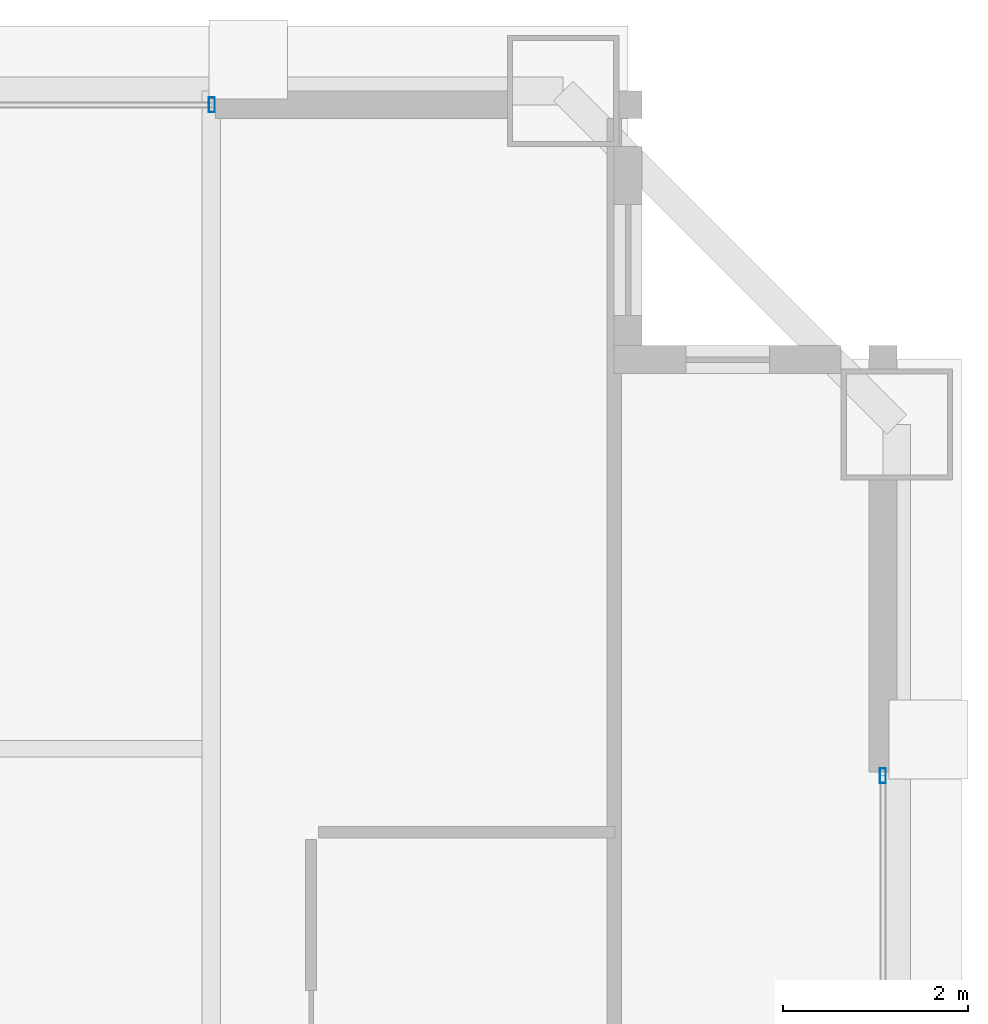
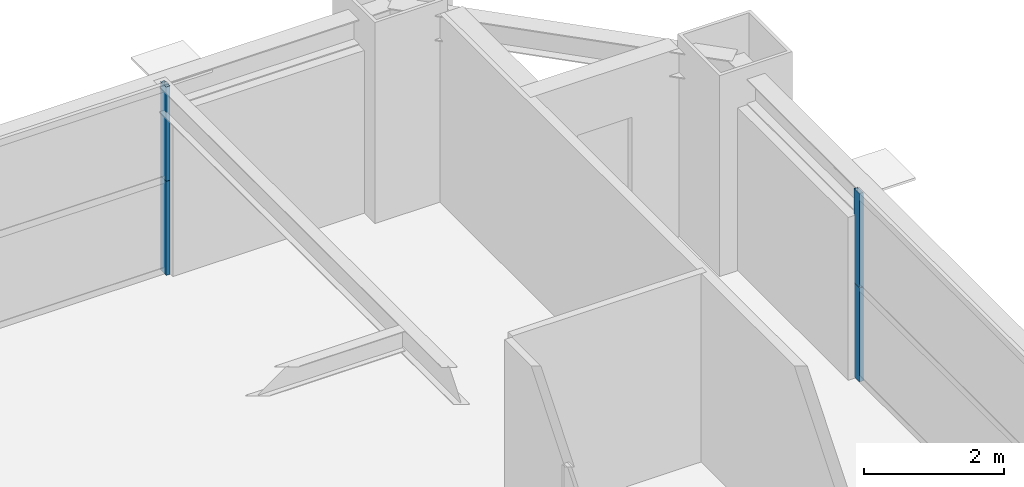
# One storey, part 30 of 36: 4 members, 2 elements without a shape of their own.
"""IFC4 building model written with IfcOpenShell, lengths in metres."""

from ifc_helpers import new_model, si_unit, direction, frame, origin, origin_2d, place, context, subcontext, project, spatial, hollow_rectangle, extrude, source, transform, mapped, material, layer, layer_set, material_profile, profile_set, type_object, element, aggregate, save


model = new_model("IFC4")

# Units and contexts
model_context = context("Model", 3, precision=1e-05, world=origin(), true_north=direction((0.0, 1.0)))
body_context = subcontext(model_context, "Body", "Model", "MODEL_VIEW")
ifc_project = project(units=[si_unit("LENGTHUNIT", "METRE"), si_unit("AREAUNIT", "SQUARE_METRE"), si_unit("VOLUMEUNIT", "CUBIC_METRE"), si_unit("PLANEANGLEUNIT", "RADIAN"), si_unit("MASSUNIT", "GRAM", prefix="KILO"), si_unit("THERMODYNAMICTEMPERATUREUNIT", "KELVIN"), si_unit("POWERUNIT", "WATT")], contexts=[model_context])

# Site, building, storey
site_placement = place(None, origin())
site = spatial("IfcSite", under=ifc_project, at=site_placement, CompositionType="ELEMENT")
building_placement = place(site_placement, origin())
building = spatial("IfcBuilding", under=site, at=building_placement, Name="Yuzanri Waterfront Tower", CompositionType="ELEMENT")
storey_placement = place(building_placement, frame((0.0, 0.0, 231.10009765625)))
storey = spatial("IfcBuildingStorey", under=building, at=storey_placement, Name="L61", CompositionType="ELEMENT", Elevation=231.10009765625)

# Curtain wall, members
ifc_material_1 = material(Name="Anodized Architectural Bronze", Category="metal")
ifc_layer = layer(ifc_material_1, 0.159912109375)
ifc_layer_set = layer_set([ifc_layer], Name="Anodized Architectural Bronze")
curtain_wall_type = type_object("IfcCurtainWallType", Name="Anodized Bronze Mid-Rise Residential Acoustic Unitized Curtain Wall 7200", PredefinedType="NOTDEFINED", material=ifc_layer_set)
curtain_wall_1_placement = place(storey_placement, origin())
curtain_wall_1 = element("IfcCurtainWall", 1, at=curtain_wall_1_placement, inside=storey, type_object=curtain_wall_type, Name="L61 Curtain Wall CW-L61-NR", PredefinedType="NOTDEFINED")
ifc_material_2 = material(Name="Anodized Architectural Bronze", Category="metal")
ifc_material_profile = material_profile(ifc_material_2, hollow_rectangle(XDim=0.06494140625, YDim=0.159912109375, WallThickness=0.00341796875, at=origin_2d()), Name="CWM 65x160")
ifc_profile_set = profile_set([ifc_material_profile], Name="Anodized Architectural Bronze")
member_type = type_object("IfcMemberType", Name="Anodized Bronze Upper-Zone Curtain-Wall Mullion 65x160", PredefinedType="MULLION", material=ifc_profile_set)
shared_shape = source(origin(), body_context, "Body", "SweptSolid", [
    extrude(hollow_rectangle(XDim=0.06494140625, YDim=0.159912109375, WallThickness=0.00341796875, at=origin_2d()), origin(), (0.0, 0.0, 1.0), 1.637939453125),
])
member_1_placement = place(storey_placement, frame((50.2099609375, 46.25, 0.0), z_axis=(0.0, 0.0, 1.0), x_axis=(1.0, 0.0, 0.0)))
member_1 = element("IfcMember", 2, at=member_1_placement, type_object=member_type, Name="CW-L61-NR Lower Mullion 02", PredefinedType="MULLION", context=body_context, shape_type="MappedRepresentation", body=[
    mapped(shared_shape, transform((0.0, 0.0, 0.0), scale=1.0)),
])
member_2_placement = place(storey_placement, frame((50.2099609375, 46.25, 1.641845703125), z_axis=(0.0, 0.0, 1.0), x_axis=(1.0, 0.0, 0.0)))
member_2 = element("IfcMember", 3, at=member_2_placement, type_object=member_type, Name="CW-L61-NR Upper Mullion 02", PredefinedType="MULLION", context=body_context, shape_type="MappedRepresentation", body=[
    mapped(shared_shape, transform((0.0, 0.0, 0.0), scale=1.0)),
])
aggregate(curtain_wall_1, [member_1, member_2])

curtain_wall_2_placement = place(storey_placement, origin())
curtain_wall_2 = element("IfcCurtainWall", 4, at=curtain_wall_2_placement, inside=storey, type_object=curtain_wall_type, Name="L61 Curtain Wall CW-L61-ER", PredefinedType="NOTDEFINED")
member_3_placement = place(storey_placement, frame((57.449951171875, 39.010009765625, 0.0), z_axis=(0.0, 0.0, 1.0), x_axis=(1.0, 0.0, 0.0)))
member_3 = element("IfcMember", 5, at=member_3_placement, type_object=member_type, Name="CW-L61-ER Lower Mullion 02", PredefinedType="MULLION", context=body_context, shape_type="MappedRepresentation", body=[
    mapped(shared_shape, transform((0.0, 0.0, 0.0), scale=1.0)),
])
member_4_placement = place(storey_placement, frame((57.449951171875, 39.010009765625, 1.641845703125), z_axis=(0.0, 0.0, 1.0), x_axis=(1.0, 0.0, 0.0)))
member_4 = element("IfcMember", 6, at=member_4_placement, type_object=member_type, Name="CW-L61-ER Upper Mullion 02", PredefinedType="MULLION", context=body_context, shape_type="MappedRepresentation", body=[
    mapped(shared_shape, transform((0.0, 0.0, 0.0), scale=1.0)),
])
aggregate(curtain_wall_2, [member_3, member_4])

save(model, "model.ifc")
